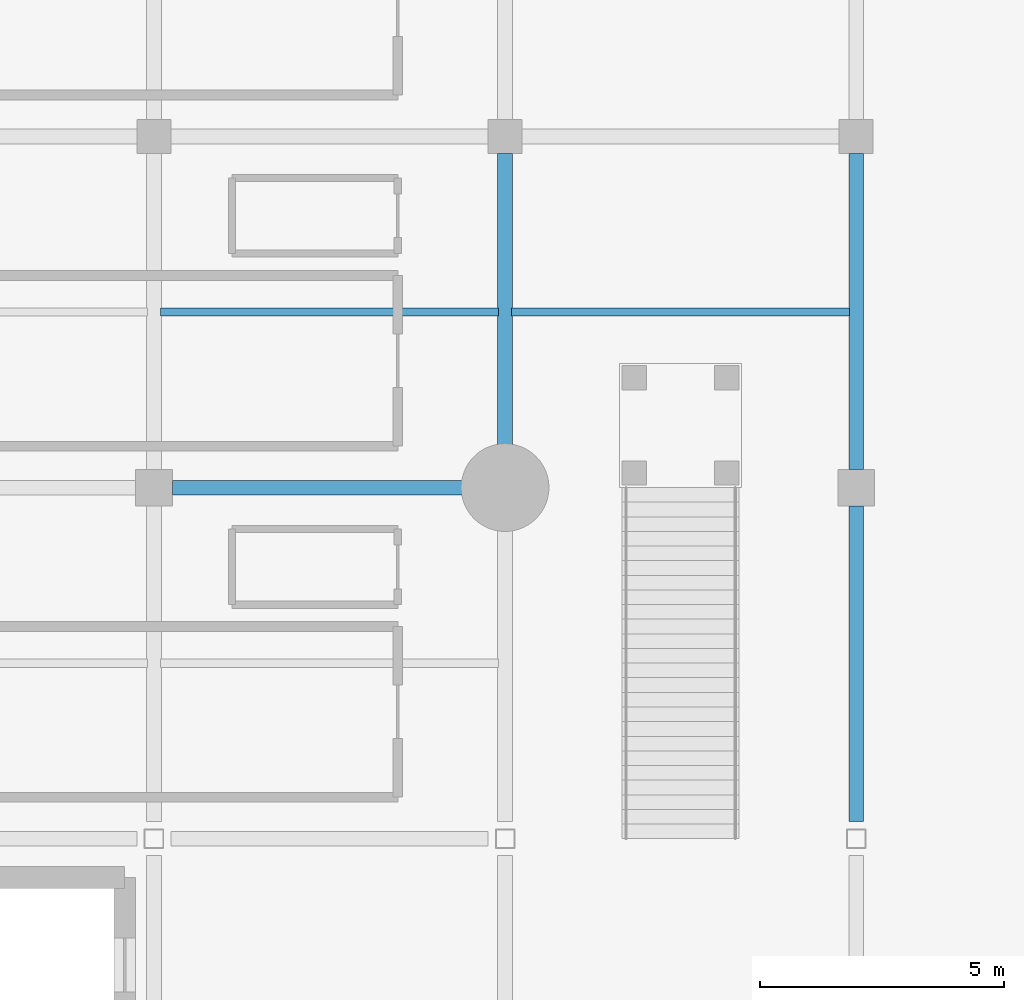
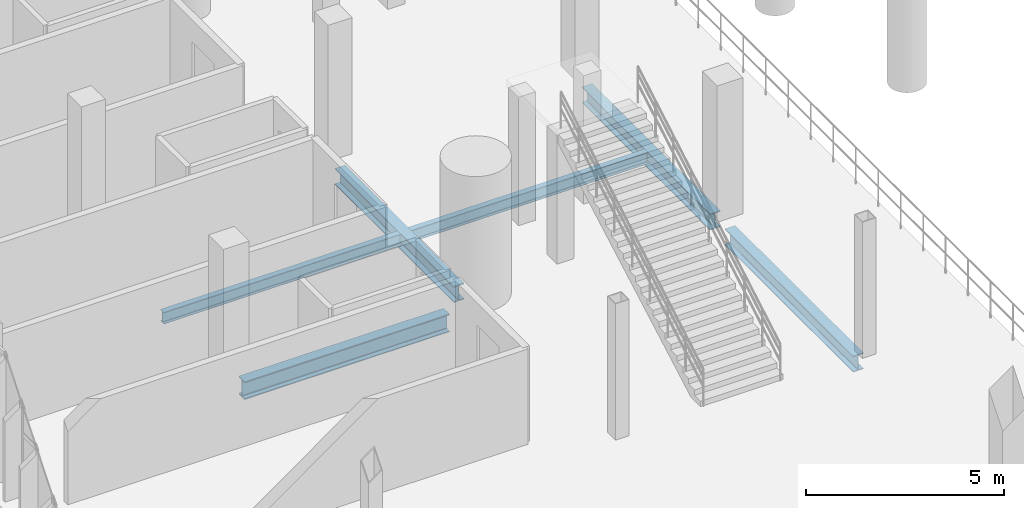
# One storey, part 33 of 130: 6 beams.
"""IFC4 building model written with IfcOpenShell, lengths in metres."""

from ifc_helpers import new_model, si_unit, direction, frame, origin, origin_2d, place, context, subcontext, project, spatial, i_section, extrude, material, material_profile, profile_set, type_object, element, save


model = new_model("IFC4")

# Units and contexts
model_context = context("Model", 3, precision=1e-05, world=origin(), true_north=direction((0.0, 1.0)))
body_context = subcontext(model_context, "Body", "Model", "MODEL_VIEW")
ifc_project = project(units=[si_unit("LENGTHUNIT", "METRE"), si_unit("AREAUNIT", "SQUARE_METRE"), si_unit("VOLUMEUNIT", "CUBIC_METRE"), si_unit("PLANEANGLEUNIT", "RADIAN"), si_unit("MASSUNIT", "GRAM", prefix="KILO")], contexts=[model_context])

# Site, building, storey
site_placement = place(None, origin())
site = spatial("IfcSite", under=ifc_project, at=site_placement, CompositionType="ELEMENT")
building_placement = place(site_placement, origin())
building = spatial("IfcBuilding", under=site, at=building_placement, Name="Qandorah Velis Arena", CompositionType="ELEMENT")
storey_placement = place(building_placement, frame((0.0, 0.0, 9.60009765625)))
storey = spatial("IfcBuildingStorey", under=building, at=storey_placement, Name="L02", CompositionType="ELEMENT", Elevation=9.60009765625)

# Beams
ifc_material = material(Name="Steel S355", Category="steel")
ifc_material_profile_1 = material_profile(ifc_material, i_section(OverallWidth=0.300048828125, OverallDepth=0.5, WebThickness=0.014404296875, FlangeThickness=0.028076171875, FilletRadius=0.027099609375, at=origin_2d()), Name="HEB 500")
ifc_profile_set_1 = profile_set([ifc_material_profile_1], Name="Steel S355")
beam_type_1 = type_object("IfcBeamType", Name="STR-BM-HEB500", PredefinedType="BEAM", material=ifc_profile_set_1)
beam_1_placement = place(storey_placement, frame((14.39990234375, 58.449951171875, -0.530029296875), z_axis=(0.0, 1.0, 0.0), x_axis=(-1.0, 0.0, 0.0)))
element("IfcBeam", 1, at=beam_1_placement, inside=storey, type_object=beam_type_1, Name="Primary floor girder L02 Y-218", PredefinedType="BEAM", context=body_context, shape_type="SweptSolid", body=[
    extrude(i_section(OverallWidth=0.300048828125, OverallDepth=0.5, WebThickness=0.014404296875, FlangeThickness=0.028076171875, FilletRadius=0.027099609375, at=origin_2d()), origin(), (0.0, 0.0, 1.0), 6.0),
])
beam_2_placement = place(storey_placement, frame((21.60009765625, 50.75, -0.530029296875), z_axis=(0.0, 1.0, 0.0), x_axis=(-1.0, 0.0, 0.0)))
element("IfcBeam", 2, at=beam_2_placement, inside=storey, type_object=beam_type_1, Name="Primary floor girder L02 Y-231", PredefinedType="BEAM", context=body_context, shape_type="SweptSolid", body=[
    extrude(i_section(OverallWidth=0.300048828125, OverallDepth=0.5, WebThickness=0.014404296875, FlangeThickness=0.028076171875, FilletRadius=0.027099609375, at=origin_2d()), origin(), (0.0, 0.0, 1.0), 6.47509765625),
])
beam_3_placement = place(storey_placement, frame((21.60009765625, 57.97509765625, -0.530029296875), z_axis=(0.0, 1.0, 0.0), x_axis=(-1.0, 0.0, 0.0)))
element("IfcBeam", 3, at=beam_3_placement, inside=storey, type_object=beam_type_1, Name="Primary floor girder L02 Y-232", PredefinedType="BEAM", context=body_context, shape_type="SweptSolid", body=[
    extrude(i_section(OverallWidth=0.300048828125, OverallDepth=0.5, WebThickness=0.014404296875, FlangeThickness=0.028076171875, FilletRadius=0.027099609375, at=origin_2d()), origin(), (0.0, 0.0, 1.0), 6.474853515625),
])
ifc_material_profile_2 = material_profile(ifc_material, i_section(OverallWidth=0.300048828125, OverallDepth=0.550048828125, WebThickness=0.014892578125, FlangeThickness=0.029052734375, FilletRadius=0.027099609375, at=origin_2d()), Name="HEB 550")
ifc_profile_set_2 = profile_set([ifc_material_profile_2], Name="Steel S355")
beam_type_2 = type_object("IfcBeamType", Name="STR-BM-HEB550", PredefinedType="BEAM", material=ifc_profile_set_2)
beam_4_placement = place(storey_placement, frame((7.574951171875, 57.60009765625, -0.55517578125), z_axis=(1.0, 0.0, 0.0), x_axis=(0.0, 1.0, 0.0)))
element("IfcBeam", 4, at=beam_4_placement, inside=storey, type_object=beam_type_2, Name="Primary floor girder L02 X-085", PredefinedType="BEAM", context=body_context, shape_type="SweptSolid", body=[
    extrude(i_section(OverallWidth=0.300048828125, OverallDepth=0.550048828125, WebThickness=0.014892578125, FlangeThickness=0.029052734375, FilletRadius=0.027099609375, at=origin_2d()), origin(), (0.0, 0.0, 1.0), 5.97509765625),
])
ifc_material_profile_3 = material_profile(ifc_material, i_section(OverallWidth=0.169921875, OverallDepth=0.360107421875, WebThickness=0.008056640625, FlangeThickness=0.0126953125, FilletRadius=0.01806640625, at=origin_2d()), Name="IPE 360")
ifc_profile_set_3 = profile_set([ifc_material_profile_3], Name="Steel S355")
beam_type_3 = type_object("IfcBeamType", Name="STR-JST-IPE360", PredefinedType="JOIST", material=ifc_profile_set_3)
beam_5_placement = place(storey_placement, frame((7.3349609375, 61.199951171875, -0.460205078125), z_axis=(1.0, 0.0, 0.0), x_axis=(0.0, 1.0, 0.0)))
element("IfcBeam", 5, at=beam_5_placement, inside=storey, type_object=beam_type_3, Name="Secondary floor joist L02-017", PredefinedType="JOIST", context=body_context, shape_type="SweptSolid", body=[
    extrude(i_section(OverallWidth=0.169921875, OverallDepth=0.360107421875, WebThickness=0.008056640625, FlangeThickness=0.0126953125, FilletRadius=0.01806640625, at=origin_2d()), origin(), (0.0, 0.0, 1.0), 6.929931640625),
])
beam_6_placement = place(storey_placement, frame((14.534912109375, 61.199951171875, -0.460205078125), z_axis=(1.0, 0.0, 0.0), x_axis=(0.0, 1.0, 0.0)))
element("IfcBeam", 6, at=beam_6_placement, inside=storey, type_object=beam_type_3, Name="Secondary floor joist L02-030", PredefinedType="JOIST", context=body_context, shape_type="SweptSolid", body=[
    extrude(i_section(OverallWidth=0.169921875, OverallDepth=0.360107421875, WebThickness=0.008056640625, FlangeThickness=0.0126953125, FilletRadius=0.01806640625, at=origin_2d()), origin(), (0.0, 0.0, 1.0), 6.93017578125),
])

save(model, "model.ifc")
